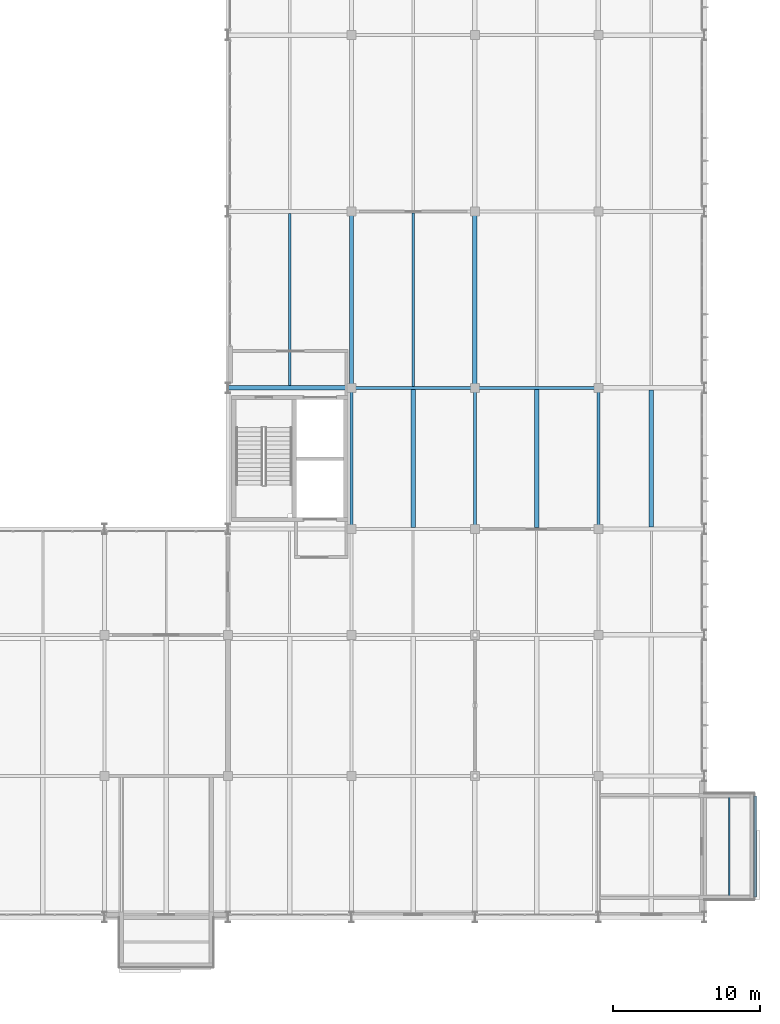
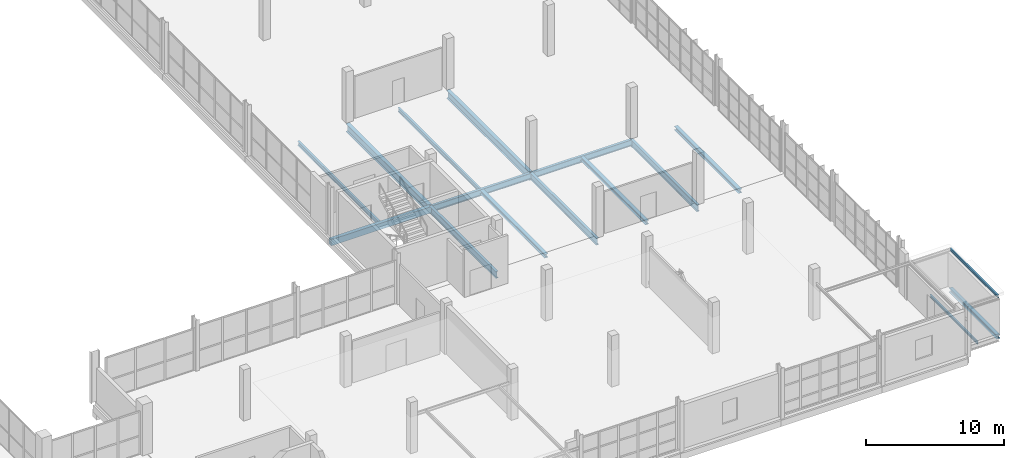
# One storey, part 73 of 113: 16 beams.
"""IFC4 building model written with IfcOpenShell, lengths in metres."""

from ifc_helpers import new_model, si_unit, direction, frame, origin, origin_2d, place, context, subcontext, project, spatial, rectangle, i_section, extrude, material, material_profile, profile_set, type_object, element, save


model = new_model("IFC4")

# Units and contexts
model_context = context("Model", 3, precision=1e-05, world=origin(), true_north=direction((0.0, 1.0)))
body_context = subcontext(model_context, "Body", "Model", "MODEL_VIEW")
ifc_project = project(units=[si_unit("LENGTHUNIT", "METRE"), si_unit("AREAUNIT", "SQUARE_METRE"), si_unit("VOLUMEUNIT", "CUBIC_METRE"), si_unit("PLANEANGLEUNIT", "RADIAN"), si_unit("MASSUNIT", "GRAM", prefix="KILO")], contexts=[model_context])

# Site, building, storey
site_placement = place(None, origin())
site = spatial("IfcSite", under=ifc_project, at=site_placement, CompositionType="ELEMENT")
building_placement = place(site_placement, origin())
building = spatial("IfcBuilding", under=site, at=building_placement, Name="Veltarok Museum of Natural Sciences", CompositionType="ELEMENT")
storey_placement = place(building_placement, frame((0.0, 0.0, 8.39990234375)))
storey = spatial("IfcBuildingStorey", under=building, at=storey_placement, Name="L01", CompositionType="ELEMENT", Elevation=8.39990234375)

# Beams
ifc_material_1 = material(Name="Steel S355J2", Category="steel")
ifc_material_profile_1 = material_profile(ifc_material_1, i_section(OverallWidth=0.2099609375, OverallDepth=0.550048828125, WebThickness=0.010986328125, FlangeThickness=0.01708984375, FilletRadius=0.02392578125, at=origin_2d()), Name="IPE 550")
ifc_profile_set_1 = profile_set([ifc_material_profile_1], Name="Steel S355J2")
beam_type_1 = type_object("IfcBeamType", Name="Archive Heavy Girder IPE 550", PredefinedType="BEAM", material=ifc_profile_set_1)
beam_1_placement = place(storey_placement, frame((140.800048828125, 36.0, -0.52490234375), z_axis=(1.0, 0.0, 0.0), x_axis=(0.0, 1.0, 0.0)))
element("IfcBeam", 1, at=beam_1_placement, inside=storey, type_object=beam_type_1, Name="Beam BM-G03 L01 17-18/E", PredefinedType="BEAM", context=body_context, shape_type="SweptSolid", body=[
    extrude(i_section(OverallWidth=0.2099609375, OverallDepth=0.550048828125, WebThickness=0.010986328125, FlangeThickness=0.01708984375, FilletRadius=0.02392578125, at=origin_2d()), origin(), (0.0, 0.0, 1.0), 8.39990234375),
])
beam_2_placement = place(storey_placement, frame((149.199951171875, 36.0, -0.52490234375), z_axis=(1.0, 0.0, 0.0), x_axis=(0.0, 1.0, 0.0)))
element("IfcBeam", 2, at=beam_2_placement, inside=storey, type_object=beam_type_1, Name="Beam BM-G03 L01 18-19/E", PredefinedType="BEAM", context=body_context, shape_type="SweptSolid", body=[
    extrude(i_section(OverallWidth=0.2099609375, OverallDepth=0.550048828125, WebThickness=0.010986328125, FlangeThickness=0.01708984375, FilletRadius=0.02392578125, at=origin_2d()), origin(), (0.0, 0.0, 1.0), 8.400146484375),
])
ifc_material_profile_2 = material_profile(ifc_material_1, i_section(OverallWidth=0.1201171875, OverallDepth=0.239990234375, WebThickness=0.006103515625, FlangeThickness=0.009765625, FilletRadius=0.014892578125, at=origin_2d()), Name="IPE 240")
ifc_profile_set_2 = profile_set([ifc_material_profile_2], Name="Steel S355J2")
beam_type_2 = type_object("IfcBeamType", Name="Cabinet Box Secondary Joist IPE 240", PredefinedType="JOIST", material=ifc_profile_set_2)
for number, where, z_axis, x_axis, name in (
    (3, (168.199951171875, 1.35009765625, 3.130126953125), (0.0, 1.0, 0.0), (-1.0, 0.0, 0.0), "Cabinet Roof Tip Header DB-30"),
    (4, (166.5, 1.35009765625, -0.369873046875), (0.0, 1.0, 0.0), (-1.0, 0.0, 0.0), "Cabinet Box Joist DB-30"),
):
    element("IfcBeam", number, at=place(storey_placement, frame(where, z_axis=z_axis, x_axis=x_axis)), inside=storey, type_object=beam_type_2, Name=name, PredefinedType="JOIST", context=body_context, shape_type="SweptSolid", body=[
        extrude(i_section(OverallWidth=0.1201171875, OverallDepth=0.239990234375, WebThickness=0.006103515625, FlangeThickness=0.009765625, FilletRadius=0.014892578125, at=origin_2d()), origin(), (0.0, 0.0, 1.0), 6.89990234375),
    ])
ifc_material_profile_3 = material_profile(ifc_material_1, i_section(OverallWidth=0.300048828125, OverallDepth=0.35009765625, WebThickness=0.010009765625, FlangeThickness=0.017578125, FilletRadius=0.027099609375, at=origin_2d()), Name="HEA 360")
ifc_profile_set_3 = profile_set([ifc_material_profile_3], Name="Steel S355J2")
beam_type_3 = type_object("IfcBeamType", Name="Cabinet Box Tip Header HEA 360", PredefinedType="BEAM", material=ifc_profile_set_3)
beam_3_placement = place(storey_placement, frame((168.199951171875, 1.35009765625, -0.4248046875), z_axis=(0.0, 1.0, 0.0), x_axis=(-1.0, 0.0, 0.0)))
element("IfcBeam", 5, at=beam_3_placement, inside=storey, type_object=beam_type_3, Name="Cabinet Tip Header DB-30", PredefinedType="BEAM", context=body_context, shape_type="SweptSolid", body=[
    extrude(i_section(OverallWidth=0.300048828125, OverallDepth=0.35009765625, WebThickness=0.010009765625, FlangeThickness=0.017578125, FilletRadius=0.027099609375, at=origin_2d()), origin(), (0.0, 0.0, 1.0), 6.89990234375),
])
ifc_material_2 = material(Name="Precast concrete C40/50", Category="concrete")
ifc_material_profile_4 = material_profile(ifc_material_2, rectangle(XDim=0.300048828125, YDim=0.550048828125, at=origin_2d()), Name="RC 300x550")
ifc_profile_set_4 = profile_set([ifc_material_profile_4], Name="Precast concrete C40/50")
beam_type_4 = type_object("IfcBeamType", Name="East Wing Precast Spandrel RC 300x550", PredefinedType="SPANDREL", material=ifc_profile_set_4)
beam_4_placement = place(storey_placement, frame((132.39990234375, 36.0, -0.52490234375), z_axis=(1.0, 0.0, 0.0), x_axis=(0.0, 1.0, 0.0)))
element("IfcBeam", 6, at=beam_4_placement, inside=storey, type_object=beam_type_4, Name="Beam BM-SP02 L01 16-17/E", PredefinedType="SPANDREL", context=body_context, shape_type="SweptSolid", body=[
    extrude(rectangle(XDim=0.300048828125, YDim=0.550048828125, at=origin_2d()), origin(), (0.0, 0.0, 1.0), 8.400146484375),
])
ifc_material_profile_5 = material_profile(ifc_material_1, i_section(OverallWidth=0.300048828125, OverallDepth=0.330078125, WebThickness=0.009521484375, FlangeThickness=0.0166015625, FilletRadius=0.027099609375, at=origin_2d()), Name="HEA 340")
ifc_profile_set_5 = profile_set([ifc_material_profile_5], Name="Steel S355J2")
beam_type_5 = type_object("IfcBeamType", Name="Exhibition Floor Joist HEA 340", PredefinedType="JOIST", material=ifc_profile_set_5)
for number, where, z_axis, x_axis, name in (
    (7, (145.0, 26.5029296875, -0.414794921875), (0.0, 1.0, 0.0), (-1.0, 0.0, 0.0), "Secondary Joist BM-J08 L01 17-18/D-E.1"),
    (8, (153.39990234375, 26.5029296875, -0.414794921875), (0.0, 1.0, 0.0), (-1.0, 0.0, 0.0), "Secondary Joist BM-J08 L01 18-19/D-E.1"),
):
    element("IfcBeam", number, at=place(storey_placement, frame(where, z_axis=z_axis, x_axis=x_axis)), inside=storey, type_object=beam_type_5, Name=name, PredefinedType="JOIST", context=body_context, shape_type="SweptSolid", body=[
        extrude(i_section(OverallWidth=0.300048828125, OverallDepth=0.330078125, WebThickness=0.009521484375, FlangeThickness=0.0166015625, FilletRadius=0.027099609375, at=origin_2d()), origin(), (0.0, 0.0, 1.0), 9.39404296875),
    ])
beam_5_placement = place(storey_placement, frame((161.199951171875, 26.548095703125, -0.414794921875), z_axis=(0.0, 1.0, 0.0), x_axis=(-1.0, 0.0, 0.0)))
element("IfcBeam", 9, at=beam_5_placement, inside=storey, type_object=beam_type_5, Name="Secondary Joist BM-J08 L01 19-20/D-E.1", PredefinedType="JOIST", context=body_context, shape_type="SweptSolid", body=[
    extrude(i_section(OverallWidth=0.300048828125, OverallDepth=0.330078125, WebThickness=0.009521484375, FlangeThickness=0.0166015625, FilletRadius=0.027099609375, at=origin_2d()), origin(), (0.0, 0.0, 1.0), 9.303955078125),
])
ifc_material_profile_6 = material_profile(ifc_material_1, i_section(OverallWidth=0.169921875, OverallDepth=0.360107421875, WebThickness=0.008056640625, FlangeThickness=0.0126953125, FilletRadius=0.01806640625, at=origin_2d()), Name="IPE 360")
ifc_profile_set_6 = profile_set([ifc_material_profile_6], Name="Steel S355J2")
beam_type_6 = type_object("IfcBeamType", Name="Long-Bay Composite Joist IPE 360", PredefinedType="JOIST", material=ifc_profile_set_6)
beam_6_placement = place(storey_placement, frame((136.60009765625, 36.14794921875, -0.429931640625), z_axis=(0.0, 1.0, 0.0), x_axis=(-1.0, 0.0, 0.0)))
element("IfcBeam", 10, at=beam_6_placement, inside=storey, type_object=beam_type_6, Name="Secondary Joist BM-J01 L01 16-17/E-F.1", PredefinedType="JOIST", context=body_context, shape_type="SweptSolid", body=[
    extrude(i_section(OverallWidth=0.169921875, OverallDepth=0.360107421875, WebThickness=0.008056640625, FlangeThickness=0.0126953125, FilletRadius=0.01806640625, at=origin_2d()), origin(), (0.0, 0.0, 1.0), 11.7041015625),
])
beam_7_placement = place(storey_placement, frame((145.0, 36.10302734375, -0.429931640625), z_axis=(0.0, 1.0, 0.0), x_axis=(-1.0, 0.0, 0.0)))
element("IfcBeam", 11, at=beam_7_placement, inside=storey, type_object=beam_type_6, Name="Secondary Joist BM-J01 L01 17-18/E-F.1", PredefinedType="JOIST", context=body_context, shape_type="SweptSolid", body=[
    extrude(i_section(OverallWidth=0.169921875, OverallDepth=0.360107421875, WebThickness=0.008056640625, FlangeThickness=0.0126953125, FilletRadius=0.01806640625, at=origin_2d()), origin(), (0.0, 0.0, 1.0), 11.7939453125),
])
ifc_material_profile_7 = material_profile(ifc_material_1, i_section(OverallWidth=0.300048828125, OverallDepth=0.699951171875, WebThickness=0.01708984375, FlangeThickness=0.031982421875, FilletRadius=0.027099609375, at=origin_2d()), Name="HEB 700")
ifc_profile_set_7 = profile_set([ifc_material_profile_7], Name="Steel S355J2")
beam_type_7 = type_object("IfcBeamType", Name="Long-Span Hall Girder HEB 700", PredefinedType="BEAM", material=ifc_profile_set_7)
for number, where, z_axis, x_axis, name in (
    (12, (140.800048828125, 36.0, -0.599853515625), (0.0, 1.0, 0.0), (-1.0, 0.0, 0.0), "Beam BM-G01 L01 17/E-F"),
    (13, (149.199951171875, 36.0, -0.599853515625), (0.0, 1.0, 0.0), (-1.0, 0.0, 0.0), "Beam BM-G01 L01 18/E-F"),
):
    element("IfcBeam", number, at=place(storey_placement, frame(where, z_axis=z_axis, x_axis=x_axis)), inside=storey, type_object=beam_type_7, Name=name, PredefinedType="BEAM", context=body_context, shape_type="SweptSolid", body=[
        extrude(i_section(OverallWidth=0.300048828125, OverallDepth=0.699951171875, WebThickness=0.01708984375, FlangeThickness=0.031982421875, FilletRadius=0.027099609375, at=origin_2d()), origin(), (0.0, 0.0, 1.0), 12.0),
    ])
ifc_material_profile_8 = material_profile(ifc_material_1, i_section(OverallWidth=0.219970703125, OverallDepth=0.60009765625, WebThickness=0.011962890625, FlangeThickness=0.01904296875, FilletRadius=0.02392578125, at=origin_2d()), Name="IPE 600")
ifc_profile_set_8 = profile_set([ifc_material_profile_8], Name="Steel S355J2")
beam_type_8 = type_object("IfcBeamType", Name="Primary Museum Girder IPE 600", PredefinedType="BEAM", material=ifc_profile_set_8)
for number, where, z_axis, x_axis, name in (
    (14, (140.800048828125, 26.39990234375, -0.5498046875), (0.0, 1.0, 0.0), (-1.0, 0.0, 0.0), "Beam BM-G02 L01 17/D-E"),
    (15, (149.199951171875, 26.39990234375, -0.5498046875), (0.0, 1.0, 0.0), (-1.0, 0.0, 0.0), "Beam BM-G02 L01 18/D-E"),
    (16, (157.60009765625, 26.39990234375, -0.5498046875), (0.0, 1.0, 0.0), (-1.0, 0.0, 0.0), "Beam BM-G02 L01 19/D-E"),
):
    element("IfcBeam", number, at=place(storey_placement, frame(where, z_axis=z_axis, x_axis=x_axis)), inside=storey, type_object=beam_type_8, Name=name, PredefinedType="BEAM", context=body_context, shape_type="SweptSolid", body=[
        extrude(i_section(OverallWidth=0.219970703125, OverallDepth=0.60009765625, WebThickness=0.011962890625, FlangeThickness=0.01904296875, FilletRadius=0.02392578125, at=origin_2d()), origin(), (0.0, 0.0, 1.0), 9.60009765625),
    ])

save(model, "model.ifc")
